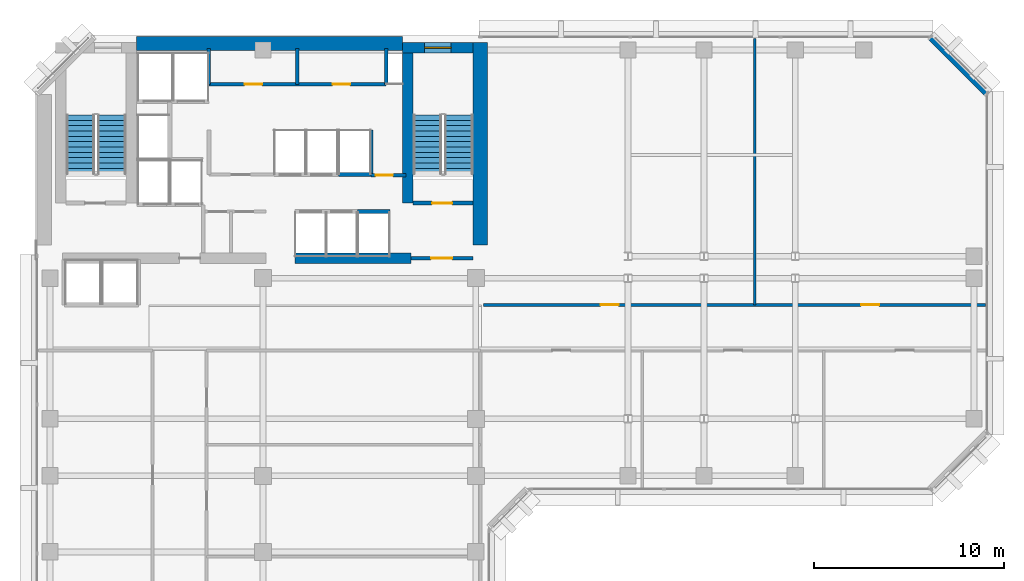
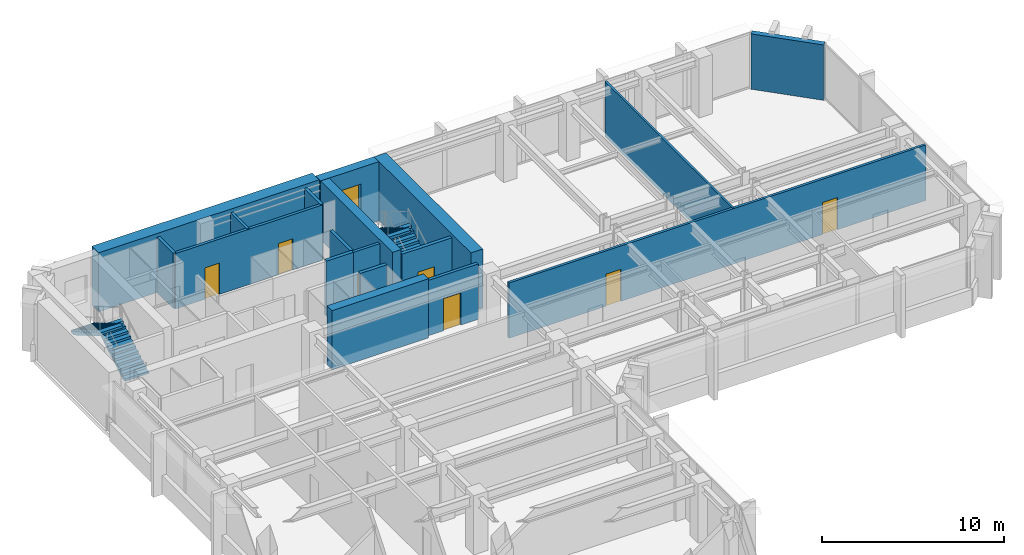
# One storey, part 8 of 11: 18 walls, 7 doors, 4 stair flights, 1 window, 8 openings, 2 elements without a shape of their own.
"""IFC4 building model written with IfcOpenShell, lengths in metres."""

from ifc_helpers import new_model, si_unit, direction, frame, frame_2d, origin, place, context, subcontext, project, spatial, polyline, rectangle, outline, extrude, material, layer, layer_set, type_object, element, fill, aggregate, save


model = new_model("IFC4")

# Units and contexts
model_context = context("Model", 3, precision=1e-05, world=origin(), true_north=direction((0.0, 1.0)))
body_context = subcontext(model_context, "Body", "Model", "MODEL_VIEW")
ifc_project = project(units=[si_unit("LENGTHUNIT", "METRE"), si_unit("AREAUNIT", "SQUARE_METRE"), si_unit("VOLUMEUNIT", "CUBIC_METRE"), si_unit("PLANEANGLEUNIT", "RADIAN"), si_unit("MASSUNIT", "GRAM", prefix="KILO")], contexts=[model_context])

# Site, building, storey
site_placement = place(None, origin())
site = spatial("IfcSite", under=ifc_project, at=site_placement, CompositionType="ELEMENT")
building_placement = place(site_placement, origin())
building = spatial("IfcBuilding", under=site, at=building_placement, Name="Kefirva Bronze Tower", CompositionType="ELEMENT")
storey_placement = place(building_placement, frame((0.0, 0.0, 146.85009765625)))
storey = spatial("IfcBuildingStorey", under=building, at=storey_placement, Name="L35", CompositionType="ELEMENT", Elevation=146.85009765625)

# Wall
ifc_material_1 = material(Name="Gypsum acoustic partition")
ifc_layer_1 = layer(ifc_material_1, 0.1298828125, Name="Gypsum acoustic partition")
ifc_layer_set_1 = layer_set([ifc_layer_1], Name="Gypsum acoustic partition")
wall_type_1 = type_object("IfcWallType", Name="Acoustic Office Partition 130mm", PredefinedType="PARTITIONING", material=ifc_layer_set_1)
wall_1_placement = place(storey_placement, frame((37.861328125, 31.800048828125, 0.0), z_axis=(0.0, 0.0, 1.0), x_axis=(0.0, 1.0, 0.0)))
element("IfcWall", 1, at=wall_1_placement, inside=storey, type_object=wall_type_1, Name="L35 Partition W-L35-END1", PredefinedType="PARTITIONING", context=body_context, shape_type="SweptSolid", body=[
    extrude(rectangle(XDim=14.010009765625, YDim=0.1298828125, at=frame_2d((7.0048828125, 0.0))), origin(), (0.0, 0.0, 1.0), 3.7099609375),
])

# Wall, opening, door
ifc_material_2 = material(Name="Gypsum fireboard shaftwall")
ifc_layer_2 = layer(ifc_material_2, 0.219970703125, Name="Gypsum fireboard shaftwall")
ifc_layer_set_2 = layer_set([ifc_layer_2], Name="Gypsum fireboard shaftwall")
wall_type_2 = type_object("IfcWallType", Name="Fire-Rated Shaft Enclosure Wall 220mm", PredefinedType="PARTITIONING", material=ifc_layer_set_2)
wall_2_placement = place(storey_placement, frame((19.89990234375, 37.14990234375, 0.0), z_axis=(0.0, 0.0, 1.0), x_axis=(1.0, 0.0, 0.0)))
wall_2 = element("IfcWall", 2, at=wall_2_placement, inside=storey, type_object=wall_type_2, Name="L35 Partition W-L35-ST2S", PredefinedType="PARTITIONING", context=body_context, shape_type="SweptSolid", body=[
    extrude(rectangle(XDim=3.150146484375, YDim=0.219970703125, at=frame_2d((1.5751953125, 0.0))), origin(), (0.0, 0.0, 1.0), 3.7099609375),
])
opening_1_placement = place(wall_2_placement, frame((2.050048828125, 0.0, 0.0), z_axis=(0.0, 0.0, 1.0), x_axis=(-1.0, 0.0, 0.0)))
opening_1 = element("IfcOpeningElement", 3, at=opening_1_placement, cuts=wall_2, Name="Opening L35-D003", PredefinedType="OPENING", context=body_context, shape_type="SweptSolid", body=[
    extrude(rectangle(XDim=1.050048828125, YDim=2.14990234375, at=frame_2d((0.52490234375, 1.074951171875))), frame((0.0, 0.1201171875, 0.0), z_axis=(0.0, -1.0, 0.0), x_axis=(1.0, 0.0, 0.0)), (0.0, 0.0, 1.0), 0.239990234375),
])
ifc_material_3 = material(Name="Painted galvanized steel", Category="steel")
door_type_1 = type_object("IfcDoorType", Name="Fire Stair Enclosure Door 1050x2150 FD90S", OperationType="NOTDEFINED", PredefinedType="DOOR", material=ifc_material_3)
door_1_placement = place(opening_1_placement, origin())
door_1 = element("IfcDoor", 4, at=door_1_placement, inside=storey, type_object=door_type_1, Name="Door L35-D003", OperationType="SINGLE_SWING_LEFT", OverallHeight=2.14990234375, OverallWidth=1.050048828125, PredefinedType="DOOR", context=body_context, shape_type="SweptSolid", body=[
    extrude(rectangle(XDim=1.050048828125, YDim=2.14990234375, at=frame_2d((0.52490234375, 1.074951171875))), frame((0.0, 0.02490234375, 0.0), z_axis=(0.0, -1.0, 0.0), x_axis=(1.0, 0.0, 0.0)), (0.0, 0.0, 1.0), 0.050048828125),
])
fill(opening_1, door_1)

# Walls
wall_3_placement = place(storey_placement, frame((17.679931640625, 38.64990234375, 0.0), z_axis=(0.0, 0.0, 1.0), x_axis=(0.0, 1.0, 0.0)))
element("IfcWall", 5, at=wall_3_placement, inside=storey, type_object=wall_type_2, Name="L35 Partition W-L35-HP2E", PredefinedType="PARTITIONING", context=body_context, shape_type="SweptSolid", body=[
    extrude(rectangle(XDim=2.35009765625, YDim=0.199951171875, at=frame_2d((1.175048828125, 0.0))), origin(), (0.0, 0.0, 1.0), 3.7099609375),
])
wall_4_placement = place(storey_placement, frame((16.97998046875, 36.699951171875, 0.0), z_axis=(0.0, 0.0, 1.0), x_axis=(1.0, 0.0, 0.0)))
element("IfcWall", 6, at=wall_4_placement, inside=storey, type_object=wall_type_2, Name="L35 Partition W-L35-HPS", PredefinedType="PARTITIONING", context=body_context, shape_type="SweptSolid", body=[
    extrude(rectangle(XDim=1.699951171875, YDim=0.219970703125, at=frame_2d((0.85009765625, 0.0))), origin(), (0.0, 0.0, 1.0), 3.7099609375),
])
wall_5_placement = place(storey_placement, frame((15.97998046875, 38.64990234375, 0.0), z_axis=(0.0, 0.0, 1.0), x_axis=(1.0, 0.0, 0.0)))
element("IfcWall", 7, at=wall_5_placement, inside=storey, type_object=wall_type_2, Name="L35 Partition W-L35-HPN", PredefinedType="PARTITIONING", context=body_context, shape_type="SweptSolid", body=[
    extrude(rectangle(XDim=1.719970703125, YDim=0.219970703125, at=frame_2d((0.85986328125, 0.0))), origin(), (0.0, 0.0, 1.0), 3.7099609375),
])

# Wall, opening, door
ifc_material_4 = material(Name="Gypsum fireboard barrier")
ifc_layer_3 = layer(ifc_material_4, 0.199951171875, Name="Gypsum fireboard barrier")
ifc_layer_set_3 = layer_set([ifc_layer_3], Name="Gypsum fireboard barrier")
wall_type_3 = type_object("IfcWallType", Name="Firefighting Lobby Barrier Wall 200mm", PredefinedType="PARTITIONING", material=ifc_layer_set_3)
wall_6_placement = place(storey_placement, frame((19.800048828125, 34.25, 0.0), z_axis=(0.0, 0.0, 1.0), x_axis=(1.0, 0.0, 0.0)))
wall_6 = element("IfcWall", 8, at=wall_6_placement, inside=storey, type_object=wall_type_3, Name="L35 Partition W-L35-ST2F", PredefinedType="PARTITIONING", context=body_context, shape_type="SweptSolid", body=[
    extrude(rectangle(XDim=3.25, YDim=0.199951171875, at=frame_2d((1.625, 0.0))), origin(), (0.0, 0.0, 1.0), 3.7099609375),
])
opening_2_placement = place(wall_6_placement, frame((2.150146484375, 0.0, 0.0), z_axis=(0.0, 0.0, 1.0), x_axis=(-1.0, 0.0, 0.0)))
opening_2 = element("IfcOpeningElement", 9, at=opening_2_placement, cuts=wall_6, Name="Opening L35-D004", PredefinedType="OPENING", context=body_context, shape_type="SweptSolid", body=[
    extrude(rectangle(XDim=1.10009765625, YDim=2.14990234375, at=frame_2d((0.550048828125, 1.074951171875))), frame((0.0, 0.10986328125, 0.0), z_axis=(0.0, -1.0, 0.0), x_axis=(1.0, 0.0, 0.0)), (0.0, 0.0, 1.0), 0.219970703125),
])
door_type_2 = type_object("IfcDoorType", Name="Firefighting Lobby Smoke Door 1100x2150 FD60S", OperationType="NOTDEFINED", PredefinedType="DOOR", material=ifc_material_3)
door_2_placement = place(opening_2_placement, origin())
door_2 = element("IfcDoor", 10, at=door_2_placement, inside=storey, type_object=door_type_2, Name="Door L35-D004", OperationType="SINGLE_SWING_RIGHT", OverallHeight=2.14990234375, OverallWidth=1.10009765625, PredefinedType="DOOR", context=body_context, shape_type="SweptSolid", body=[
    extrude(rectangle(XDim=1.10009765625, YDim=2.14990234375, at=frame_2d((0.550048828125, 1.074951171875))), frame((0.0, 0.02490234375, 0.0), z_axis=(0.0, -1.0, 0.0), x_axis=(1.0, 0.0, 0.0)), (0.0, 0.0, 1.0), 0.050048828125),
])
fill(opening_2, door_2)

wall_7_placement = place(storey_placement, frame((17.679931640625, 38.6201171875, 0.0), z_axis=(0.0, 0.0, 1.0), x_axis=(1.0, 0.0, 0.0)))
wall_7 = element("IfcWall", 11, at=wall_7_placement, inside=storey, type_object=wall_type_3, Name="L35 Partition W-L35-CPASS", PredefinedType="PARTITIONING", context=body_context, shape_type="SweptSolid", body=[
    extrude(rectangle(XDim=1.840087890625, YDim=0.179931640625, at=frame_2d((0.919921875, 0.0))), origin(), (0.0, 0.0, 1.0), 3.7099609375),
])
opening_3_placement = place(wall_7_placement, frame((0.239990234375, 0.0, 0.0)))
opening_3 = element("IfcOpeningElement", 12, at=opening_3_placement, cuts=wall_7, Name="Opening L35-D-CPAS", PredefinedType="OPENING", context=body_context, shape_type="SweptSolid", body=[
    extrude(rectangle(XDim=0.919921875, YDim=2.10009765625, at=frame_2d((0.4599609375, 1.050048828125))), frame((0.0, 0.10009765625, 0.0), z_axis=(0.0, -1.0, 0.0), x_axis=(1.0, 0.0, 0.0)), (0.0, 0.0, 1.0), 0.199951171875),
])
ifc_material_5 = material(Name="Moisture-resistant timber", Category="wood")
door_type_3 = type_object("IfcDoorType", Name="Accessible Sanitary & WC Door 920x2100", OperationType="NOTDEFINED", PredefinedType="DOOR", material=ifc_material_5)
door_3_placement = place(opening_3_placement, origin())
door_3 = element("IfcDoor", 13, at=door_3_placement, inside=storey, type_object=door_type_3, Name="Door L35-D-CPAS", OperationType="SINGLE_SWING_LEFT", OverallHeight=2.10009765625, OverallWidth=0.919921875, PredefinedType="DOOR", context=body_context, shape_type="SweptSolid", body=[
    extrude(rectangle(XDim=0.919921875, YDim=2.10009765625, at=frame_2d((0.4599609375, 1.050048828125))), frame((0.0, 0.02490234375, 0.0), z_axis=(0.0, -1.0, 0.0), x_axis=(1.0, 0.0, 0.0)), (0.0, 0.0, 1.0), 0.050048828125),
])
fill(opening_3, door_3)

# Wall
ifc_material_6 = material(Name="Precast concrete C40/50", Category="concrete")
ifc_layer_4 = layer(ifc_material_6, 0.320068359375, Name="Precast concrete C40/50")
ifc_layer_set_4 = layer_set([ifc_layer_4], Name="Precast concrete C40/50")
wall_type_4 = type_object("IfcWallType", Name="Precast Insulated Exterior Wall 320mm", PredefinedType="SOLIDWALL", material=ifc_layer_set_4)
wall_8_placement = place(storey_placement, frame((50.048095703125, 42.92578125, 0.0), z_axis=(0.0, 0.0, 1.0), x_axis=(-0.707136318428, 0.707077242712, 0.0)))
element("IfcWall", 14, at=wall_8_placement, inside=storey, type_object=wall_type_4, Name="L35 Exterior Facade Wall 7", PredefinedType="SOLIDWALL", context=body_context, shape_type="SweptSolid", body=[
    extrude(rectangle(XDim=4.132568359375, YDim=0.320068359375, at=frame_2d((2.06640625, 0.0))), origin(), (0.0, 0.0, 1.0), 3.7099609375),
])

# Wall, openings, doors
ifc_layer_5 = layer(ifc_material_1, 0.159912109375, Name="Gypsum acoustic partition")
ifc_layer_set_5 = layer_set([ifc_layer_5], Name="Gypsum acoustic partition")
wall_type_5 = type_object("IfcWallType", Name="Protected Corridor Partition 160mm", PredefinedType="PARTITIONING", material=ifc_layer_set_5)
wall_9_placement = place(storey_placement, frame((23.60009765625, 31.800048828125, 0.0), z_axis=(0.0, 0.0, 1.0), x_axis=(1.0, 0.0, 0.0)))
wall_9 = element("IfcWall", 15, at=wall_9_placement, inside=storey, type_object=wall_type_5, Name="L35 Partition W-L35-EWN", PredefinedType="PARTITIONING", context=body_context, shape_type="SweptSolid", body=[
    extrude(rectangle(XDim=26.409912109375, YDim=0.159912109375, at=frame_2d((13.205078125, 0.0))), origin(), (0.0, 0.0, 1.0), 3.7099609375),
])
opening_4_placement = place(wall_9_placement, frame((6.15576171875, 0.0, 0.0)))
opening_4 = element("IfcOpeningElement", 16, at=opening_4_placement, cuts=wall_9, Name="Opening L35-D-EN1", PredefinedType="OPENING", context=body_context, shape_type="SweptSolid", body=[
    extrude(rectangle(XDim=0.949951171875, YDim=2.14990234375, at=frame_2d((0.47509765625, 1.074951171875))), frame((0.0, 0.08984375, 0.0), z_axis=(0.0, -1.0, 0.0), x_axis=(1.0, 0.0, 0.0)), (0.0, 0.0, 1.0), 0.179931640625),
])
opening_5_placement = place(wall_9_placement, frame((19.860595703125, 0.0, 0.0)))
opening_5 = element("IfcOpeningElement", 17, at=opening_5_placement, cuts=wall_9, Name="Opening L35-D-EN2", PredefinedType="OPENING", context=body_context, shape_type="SweptSolid", body=[
    extrude(rectangle(XDim=0.949951171875, YDim=2.14990234375, at=frame_2d((0.47509765625, 1.074951171875))), frame((0.0, 0.08984375, 0.0), z_axis=(0.0, -1.0, 0.0), x_axis=(1.0, 0.0, 0.0)), (0.0, 0.0, 1.0), 0.179931640625),
])
ifc_material_7 = material(Name="Acoustic hardwood oak", Category="wood")
door_type_4 = type_object("IfcDoorType", Name="Office & Meeting Room Door 950x2150", OperationType="NOTDEFINED", PredefinedType="DOOR", material=ifc_material_7)
door_4_placement = place(opening_4_placement, origin())
door_4 = element("IfcDoor", 18, at=door_4_placement, inside=storey, type_object=door_type_4, Name="Door L35-D-EN1", OperationType="SINGLE_SWING_RIGHT", OverallHeight=2.14990234375, OverallWidth=0.949951171875, PredefinedType="DOOR", context=body_context, shape_type="SweptSolid", body=[
    extrude(rectangle(XDim=0.949951171875, YDim=2.14990234375, at=frame_2d((0.47509765625, 1.074951171875))), frame((0.0, 0.02490234375, 0.0), z_axis=(0.0, -1.0, 0.0), x_axis=(1.0, 0.0, 0.0)), (0.0, 0.0, 1.0), 0.050048828125),
])
fill(opening_4, door_4)
door_5_placement = place(opening_5_placement, origin())
door_5 = element("IfcDoor", 19, at=door_5_placement, inside=storey, type_object=door_type_4, Name="Door L35-D-EN2", OperationType="SINGLE_SWING_LEFT", OverallHeight=2.14990234375, OverallWidth=0.949951171875, PredefinedType="DOOR", context=body_context, shape_type="SweptSolid", body=[
    extrude(rectangle(XDim=0.949951171875, YDim=2.14990234375, at=frame_2d((0.47509765625, 1.074951171875))), frame((0.0, 0.02490234375, 0.0), z_axis=(0.0, -1.0, 0.0), x_axis=(1.0, 0.0, 0.0)), (0.0, 0.0, 1.0), 0.050048828125),
])
fill(opening_5, door_5)

# Wall, opening, window
ifc_material_8 = material(Name="Concrete C50/60", Category="concrete")
ifc_layer_6 = layer(ifc_material_8, 0.550048828125, Name="Concrete C50/60")
ifc_layer_set_6 = layer_set([ifc_layer_6], Name="Concrete C50/60")
wall_type_6 = type_object("IfcWallType", Name="RC Rear Core Exterior Wall 550mm", PredefinedType="SHEAR", material=ifc_layer_set_6)
wall_10_placement = place(storey_placement, frame((19.35009765625, 45.320068359375, 0.0), z_axis=(0.0, 0.0, 1.0), x_axis=(1.0, 0.0, 0.0)))
wall_10 = element("IfcWall", 20, at=wall_10_placement, inside=storey, type_object=wall_type_6, Name="L35 Stair 2 North Shear Wall", PredefinedType="SHEAR", context=body_context, shape_type="SweptSolid", body=[
    extrude(rectangle(XDim=3.68994140625, YDim=0.550048828125, at=frame_2d((1.844970703125, 0.0))), origin(), (0.0, 0.0, 1.0), 3.9599609375),
])
opening_6_placement = place(wall_10_placement, frame((1.14990234375, 0.0, 1.050048828125)))
opening_6 = element("IfcOpeningElement", 21, at=opening_6_placement, cuts=wall_10, Name="Opening WN-03", PredefinedType="OPENING", context=body_context, shape_type="SweptSolid", body=[
    extrude(rectangle(XDim=1.39990234375, YDim=1.800048828125, at=frame_2d((0.699951171875, 0.89990234375))), frame((0.0, 0.28515625, 0.0), z_axis=(0.0, -1.0, 0.0), x_axis=(1.0, 0.0, 0.0)), (0.0, 0.0, 1.0), 0.570068359375),
])
ifc_material_9 = material(Name="Laminated low-E double glazing", Category="glass")
window_type = type_object("IfcWindowType", Name="Rear-Core Stair Daylight Window 1400x1800", PartitioningType="SINGLE_PANEL", PredefinedType="WINDOW", material=ifc_material_9)
window_placement = place(opening_6_placement, origin())
window = element("IfcWindow", 22, at=window_placement, inside=storey, type_object=window_type, Name="L35 Stair 2 Daylight Window", OverallHeight=1.800048828125, OverallWidth=1.39990234375, PartitioningType="SINGLE_PANEL", PredefinedType="WINDOW", context=body_context, shape_type="SweptSolid", body=[
    extrude(rectangle(XDim=1.39990234375, YDim=1.800048828125, at=frame_2d((0.699951171875, 0.89990234375))), frame((0.0, 0.030029296875, 0.0), z_axis=(0.0, -1.0, 0.0), x_axis=(1.0, 0.0, 0.0)), (0.0, 0.0, 1.0), 0.06005859375),
])
fill(opening_6, window)

# Walls
ifc_material_10 = material(Name="Concrete C60/75", Category="concrete")
ifc_layer_7 = layer(ifc_material_10, 0.75, Name="Concrete C60/75")
ifc_layer_set_7 = layer_set([ifc_layer_7], Name="Concrete C60/75")
wall_type_7 = type_object("IfcWallType", Name="RC Rear Core Exterior Wall 750mm", PredefinedType="SHEAR", material=ifc_layer_set_7)
wall_11_placement = place(storey_placement, frame((5.360107421875, 45.550048828125, 0.0), z_axis=(0.0, 0.0, 1.0), x_axis=(1.0, 0.0, 0.0)))
element("IfcWall", 23, at=wall_11_placement, inside=storey, type_object=wall_type_7, Name="L35 Rear Core North Shear Wall", PredefinedType="SHEAR", context=body_context, shape_type="SweptSolid", body=[
    extrude(rectangle(XDim=13.97998046875, YDim=0.75, at=frame_2d((6.989990234375, 0.0))), origin(), (0.0, 0.0, 1.0), 3.9599609375),
])
ifc_layer_8 = layer(ifc_material_8, 0.550048828125, Name="Concrete C50/60")
ifc_layer_set_8 = layer_set([ifc_layer_8], Name="Concrete C50/60")
wall_type_8 = type_object("IfcWallType", Name="RC Rear Core Interior Wall 550mm", PredefinedType="SHEAR", material=ifc_layer_set_8)
wall_12_placement = place(storey_placement, frame((19.6201171875, 37.14990234375, 0.0), z_axis=(0.0, 0.0, 1.0), x_axis=(0.0, 1.0, 0.0)))
element("IfcWall", 24, at=wall_12_placement, inside=storey, type_object=wall_type_8, Name="L35 Stair 2 West Shear Wall", PredefinedType="SHEAR", context=body_context, shape_type="SweptSolid", body=[
    extrude(rectangle(XDim=7.89013671875, YDim=0.550048828125, at=frame_2d((3.945068359375, 0.0))), origin(), (0.0, 0.0, 1.0), 3.9599609375),
])
ifc_layer_9 = layer(ifc_material_10, 0.75, Name="Concrete C60/75")
ifc_layer_set_9 = layer_set([ifc_layer_9], Name="Concrete C60/75")
wall_type_9 = type_object("IfcWallType", Name="RC Rear Core Interior Wall 750mm", PredefinedType="SHEAR", material=ifc_layer_set_9)
wall_13_placement = place(storey_placement, frame((23.425048828125, 34.949951171875, 0.0), z_axis=(0.0, 0.0, 1.0), x_axis=(0.0, 1.0, 0.0)))
element("IfcWall", 25, at=wall_13_placement, inside=storey, type_object=wall_type_9, Name="L35 Rear Core East Shear Wall", PredefinedType="SHEAR", context=body_context, shape_type="SweptSolid", body=[
    extrude(rectangle(XDim=10.64013671875, YDim=0.75, at=frame_2d((5.320068359375, 0.0))), origin(), (0.0, 0.0, 1.0), 3.9599609375),
])
wall_14_placement = place(storey_placement, frame((13.679931640625, 34.25, 0.0), z_axis=(0.0, 0.0, 1.0), x_axis=(1.0, 0.0, 0.0)))
element("IfcWall", 26, at=wall_14_placement, inside=storey, type_object=wall_type_9, Name="L35 Rear Core South-East Shear Wall", PredefinedType="SHEAR", context=body_context, shape_type="SweptSolid", body=[
    extrude(rectangle(XDim=6.1201171875, YDim=0.550048828125, at=frame_2d((3.06005859375, 0.0))), origin(), (0.0, 0.0, 1.0), 3.9599609375),
])

# Wall, openings, doors
ifc_material_11 = material(Name="Moisture-resistant partition")
ifc_layer_10 = layer(ifc_material_11, 0.179931640625, Name="Moisture-resistant partition")
ifc_layer_set_10 = layer_set([ifc_layer_10], Name="Moisture-resistant partition")
wall_type_10 = type_object("IfcWallType", Name="Sanitary Plumbing Chase Wall 180mm", PredefinedType="PLUMBINGWALL", material=ifc_layer_set_10)
wall_15_placement = place(storey_placement, frame((9.14990234375, 43.39990234375, 0.0), z_axis=(0.0, 0.0, 1.0), x_axis=(1.0, 0.0, 0.0)))
wall_15 = element("IfcWall", 27, at=wall_15_placement, inside=storey, type_object=wall_type_10, Name="L35 Partition W-L35-SVCS", PredefinedType="PLUMBINGWALL", context=body_context, shape_type="SweptSolid", body=[
    extrude(rectangle(XDim=9.330078125, YDim=0.179931640625, at=frame_2d((4.6650390625, 0.0))), origin(), (0.0, 0.0, 1.0), 3.7099609375),
])
opening_7_placement = place(wall_15_placement, frame((1.8798828125, 0.0, 0.0)))
opening_7 = element("IfcOpeningElement", 28, at=opening_7_placement, cuts=wall_15, Name="Opening L35-D-CSVC1", PredefinedType="OPENING", context=body_context, shape_type="SweptSolid", body=[
    extrude(rectangle(XDim=0.919921875, YDim=2.10009765625, at=frame_2d((0.4599609375, 1.050048828125))), frame((0.0, 0.10009765625, 0.0), z_axis=(0.0, -1.0, 0.0), x_axis=(1.0, 0.0, 0.0)), (0.0, 0.0, 1.0), 0.199951171875),
])
opening_8_placement = place(wall_15_placement, frame((6.514892578125, 0.0, 0.0)))
opening_8 = element("IfcOpeningElement", 29, at=opening_8_placement, cuts=wall_15, Name="Opening L35-D-CSVC2", PredefinedType="OPENING", context=body_context, shape_type="SweptSolid", body=[
    extrude(rectangle(XDim=0.919921875, YDim=2.10009765625, at=frame_2d((0.4599609375, 1.050048828125))), frame((0.0, 0.10009765625, 0.0), z_axis=(0.0, -1.0, 0.0), x_axis=(1.0, 0.0, 0.0)), (0.0, 0.0, 1.0), 0.199951171875),
])
door_6_placement = place(opening_7_placement, origin())
door_6 = element("IfcDoor", 30, at=door_6_placement, inside=storey, type_object=door_type_3, Name="Door L35-D-CSVC1", OperationType="SINGLE_SWING_LEFT", OverallHeight=2.10009765625, OverallWidth=0.919921875, PredefinedType="DOOR", context=body_context, shape_type="SweptSolid", body=[
    extrude(rectangle(XDim=0.919921875, YDim=2.10009765625, at=frame_2d((0.4599609375, 1.050048828125))), frame((0.0, 0.02490234375, 0.0), z_axis=(0.0, -1.0, 0.0), x_axis=(1.0, 0.0, 0.0)), (0.0, 0.0, 1.0), 0.050048828125),
])
fill(opening_7, door_6)
door_7_placement = place(opening_8_placement, origin())
door_7 = element("IfcDoor", 31, at=door_7_placement, inside=storey, type_object=door_type_3, Name="Door L35-D-CSVC2", OperationType="SINGLE_SWING_RIGHT", OverallHeight=2.10009765625, OverallWidth=0.919921875, PredefinedType="DOOR", context=body_context, shape_type="SweptSolid", body=[
    extrude(rectangle(XDim=0.919921875, YDim=2.10009765625, at=frame_2d((0.4599609375, 1.050048828125))), frame((0.0, 0.02490234375, 0.0), z_axis=(0.0, -1.0, 0.0), x_axis=(1.0, 0.0, 0.0)), (0.0, 0.0, 1.0), 0.050048828125),
])
fill(opening_8, door_7)

# Walls
for number, where, z_axis, x_axis, name in (
    (32, (9.14990234375, 43.39990234375, 0.0), (0.0, 0.0, 1.0), (0.0, 1.0, 0.0), "L35 Partition W-L35-SVCW"),
    (33, (18.47998046875, 43.39990234375, 0.0), (0.0, 0.0, 1.0), (0.0, 1.0, 0.0), "L35 Partition W-L35-SVCE"),
    (34, (13.800048828125, 43.39990234375, 0.0), (0.0, 0.0, 1.0), (0.0, 1.0, 0.0), "L35 Partition W-L35-CSVD-1"),
):
    element("IfcWall", number, at=place(storey_placement, frame(where, z_axis=z_axis, x_axis=x_axis)), inside=storey, type_object=wall_type_10, Name=name, PredefinedType="PLUMBINGWALL", context=body_context, shape_type="SweptSolid", body=[
        extrude(rectangle(XDim=1.880126953125, YDim=0.179931640625, at=frame_2d((0.93994140625, 0.0))), origin(), (0.0, 0.0, 1.0), 3.7099609375),
    ])

# Stair, stair flights
ifc_material_12 = material(Name="Concrete C40/50", Category="concrete")
stair_type = type_object("IfcStairType", Name="RC Dogleg Protected Stair 24R", PredefinedType="HALF_TURN_STAIR", material=ifc_material_12)
stair_1_placement = place(storey_placement, origin())
stair_1 = element("IfcStair", 35, at=stair_1_placement, inside=storey, type_object=stair_type, Name="L35 Protected Exit Stair 1", PredefinedType="HALF_TURN_STAIR")
stair_flight_type = type_object("IfcStairFlightType", Name="RC Straight Stair Flight 24R", PredefinedType="STRAIGHT", material=ifc_material_12)
stair_flight_1_placement = place(storey_placement, frame((4.050048828125, 38.699951171875, 0.0), z_axis=(0.0, 0.0, 1.0), x_axis=(0.0, 1.0, 0.0)))
stair_flight_1 = element("IfcStairFlight", 36, at=stair_flight_1_placement, type_object=stair_flight_type, Name="ST-1 flight 1", NumberOfRisers=12, NumberOfTreads=11, PredefinedType="STRAIGHT", RiserHeight=0.165, TreadLength=0.28, context=body_context, shape_type="SweptSolid", body=[
    extrude(outline(polyline([(0.0, 0.0), (0.0, 0.1650390625), (0.280029296875, 0.1650390625), (0.280029296875, 0.330078125), (0.56005859375, 0.330078125), (0.56005859375, 0.4951171875), (0.840087890625, 0.4951171875), (0.840087890625, 0.659912109375), (1.1201171875, 0.659912109375), (1.1201171875, 0.824951171875), (1.39990234375, 0.824951171875), (1.39990234375, 0.989990234375), (1.679931640625, 0.989990234375), (1.679931640625, 1.155029296875), (1.9599609375, 1.155029296875), (1.9599609375, 1.320068359375), (2.239990234375, 1.320068359375), (2.239990234375, 1.485107421875), (2.52001953125, 1.485107421875), (2.52001953125, 1.64990234375), (2.800048828125, 1.64990234375), (2.800048828125, 1.81494140625), (3.080078125, 1.81494140625), (3.080078125, 1.97998046875), (3.080078125, 1.64111328125), (0.295166015625, 0.0), (0.0, 0.0)])), frame((0.0, 0.75, 0.0), z_axis=(0.0, -1.0, 0.0), x_axis=(1.0, 0.0, 0.0)), (0.0, 0.0, 1.0), 1.5),
])
stair_flight_2_placement = place(storey_placement, frame((2.39990234375, 41.780029296875, 1.97998046875), z_axis=(0.0, 0.0, 1.0), x_axis=(0.0, -1.0, 0.0)))
stair_flight_2 = element("IfcStairFlight", 37, at=stair_flight_2_placement, type_object=stair_flight_type, Name="ST-1 flight 2", NumberOfRisers=12, NumberOfTreads=11, PredefinedType="STRAIGHT", RiserHeight=0.165, TreadLength=0.28, context=body_context, shape_type="SweptSolid", body=[
    extrude(outline(polyline([(0.0, 0.0), (0.0, 0.1650390625), (0.280029296875, 0.1650390625), (0.280029296875, 0.330078125), (0.56005859375, 0.330078125), (0.56005859375, 0.4951171875), (0.840087890625, 0.4951171875), (0.840087890625, 0.659912109375), (1.1201171875, 0.659912109375), (1.1201171875, 0.824951171875), (1.39990234375, 0.824951171875), (1.39990234375, 0.989990234375), (1.679931640625, 0.989990234375), (1.679931640625, 1.155029296875), (1.9599609375, 1.155029296875), (1.9599609375, 1.320068359375), (2.239990234375, 1.320068359375), (2.239990234375, 1.485107421875), (2.52001953125, 1.485107421875), (2.52001953125, 1.64990234375), (2.800048828125, 1.64990234375), (2.800048828125, 1.81494140625), (3.080078125, 1.81494140625), (3.080078125, 1.97998046875), (3.080078125, 1.64111328125), (0.295166015625, 0.0), (0.0, 0.0)])), frame((0.0, 0.75, 0.0), z_axis=(0.0, -1.0, 0.0), x_axis=(1.0, 0.0, 0.0)), (0.0, 0.0, 1.0), 1.5),
])
aggregate(stair_1, [stair_flight_1, stair_flight_2])

stair_2_placement = place(storey_placement, origin())
stair_2 = element("IfcStair", 38, at=stair_2_placement, inside=storey, type_object=stair_type, Name="L35 Protected Exit Stair 2", PredefinedType="HALF_TURN_STAIR")
stair_flight_3_placement = place(storey_placement, frame((22.300048828125, 38.699951171875, 0.0), z_axis=(0.0, 0.0, 1.0), x_axis=(0.0, 1.0, 0.0)))
stair_flight_3 = element("IfcStairFlight", 39, at=stair_flight_3_placement, type_object=stair_flight_type, Name="ST-2 flight 1", NumberOfRisers=12, NumberOfTreads=11, PredefinedType="STRAIGHT", RiserHeight=0.165, TreadLength=0.28, context=body_context, shape_type="SweptSolid", body=[
    extrude(outline(polyline([(0.0, 0.0), (0.0, 0.1650390625), (0.280029296875, 0.1650390625), (0.280029296875, 0.330078125), (0.56005859375, 0.330078125), (0.56005859375, 0.4951171875), (0.840087890625, 0.4951171875), (0.840087890625, 0.659912109375), (1.1201171875, 0.659912109375), (1.1201171875, 0.824951171875), (1.39990234375, 0.824951171875), (1.39990234375, 0.989990234375), (1.679931640625, 0.989990234375), (1.679931640625, 1.155029296875), (1.9599609375, 1.155029296875), (1.9599609375, 1.320068359375), (2.239990234375, 1.320068359375), (2.239990234375, 1.485107421875), (2.52001953125, 1.485107421875), (2.52001953125, 1.64990234375), (2.800048828125, 1.64990234375), (2.800048828125, 1.81494140625), (3.080078125, 1.81494140625), (3.080078125, 1.97998046875), (3.080078125, 1.64111328125), (0.295166015625, 0.0), (0.0, 0.0)])), frame((0.0, 0.75, 0.0), z_axis=(0.0, -1.0, 0.0), x_axis=(1.0, 0.0, 0.0)), (0.0, 0.0, 1.0), 1.5),
])
stair_flight_4_placement = place(storey_placement, frame((20.64990234375, 41.780029296875, 1.97998046875), z_axis=(0.0, 0.0, 1.0), x_axis=(0.0, -1.0, 0.0)))
stair_flight_4 = element("IfcStairFlight", 40, at=stair_flight_4_placement, type_object=stair_flight_type, Name="ST-2 flight 2", NumberOfRisers=12, NumberOfTreads=11, PredefinedType="STRAIGHT", RiserHeight=0.165, TreadLength=0.28, context=body_context, shape_type="SweptSolid", body=[
    extrude(outline(polyline([(0.0, 0.0), (0.0, 0.1650390625), (0.280029296875, 0.1650390625), (0.280029296875, 0.330078125), (0.56005859375, 0.330078125), (0.56005859375, 0.4951171875), (0.840087890625, 0.4951171875), (0.840087890625, 0.659912109375), (1.1201171875, 0.659912109375), (1.1201171875, 0.824951171875), (1.39990234375, 0.824951171875), (1.39990234375, 0.989990234375), (1.679931640625, 0.989990234375), (1.679931640625, 1.155029296875), (1.9599609375, 1.155029296875), (1.9599609375, 1.320068359375), (2.239990234375, 1.320068359375), (2.239990234375, 1.485107421875), (2.52001953125, 1.485107421875), (2.52001953125, 1.64990234375), (2.800048828125, 1.64990234375), (2.800048828125, 1.81494140625), (3.080078125, 1.81494140625), (3.080078125, 1.97998046875), (3.080078125, 1.64111328125), (0.295166015625, 0.0), (0.0, 0.0)])), frame((0.0, 0.75, 0.0), z_axis=(0.0, -1.0, 0.0), x_axis=(1.0, 0.0, 0.0)), (0.0, 0.0, 1.0), 1.5),
])
aggregate(stair_2, [stair_flight_3, stair_flight_4])

save(model, "model.ifc")
